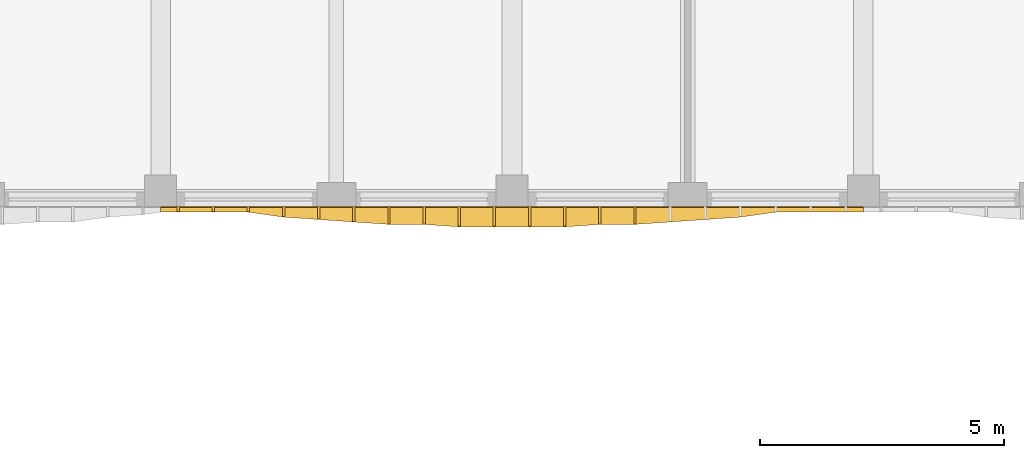
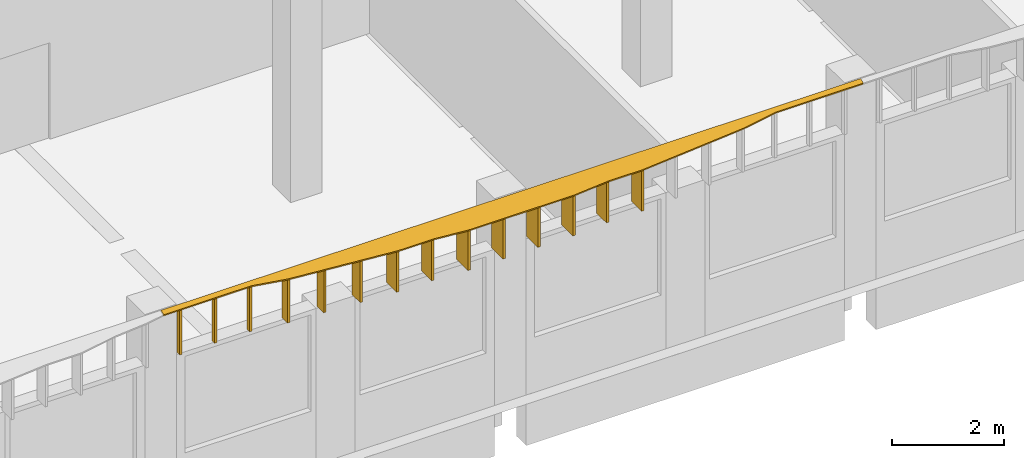
# One storey, part 38 of 54: 15 shading devices.
"""IFC4 building model written with IfcOpenShell, lengths in metres."""

from ifc_helpers import new_model, si_unit, direction, frame, origin, place, context, subcontext, project, spatial, polyline, outline, extrude, material, layer, layer_set, type_object, element, save


model = new_model("IFC4")

# Units and contexts
model_context = context("Model", 3, precision=1e-05, world=origin(), true_north=direction((0.0, 1.0)))
body_context = subcontext(model_context, "Body", "Model", "MODEL_VIEW")
ifc_project = project(units=[si_unit("LENGTHUNIT", "METRE"), si_unit("AREAUNIT", "SQUARE_METRE"), si_unit("VOLUMEUNIT", "CUBIC_METRE"), si_unit("PLANEANGLEUNIT", "RADIAN"), si_unit("MASSUNIT", "GRAM", prefix="KILO")], contexts=[model_context])

# Site, building, storey
site_placement = place(None, origin())
site = spatial("IfcSite", under=ifc_project, at=site_placement, CompositionType="ELEMENT")
building_placement = place(site_placement, origin())
building = spatial("IfcBuilding", under=site, at=building_placement, Name="Ussher Court Research Institute", CompositionType="ELEMENT")
storey_placement = place(building_placement, frame((0.0, 0.0, 14.39990234375)))
storey = spatial("IfcBuildingStorey", under=building, at=storey_placement, Name="L03", CompositionType="ELEMENT", Elevation=14.39990234375)

# Shading devices
ifc_material_1 = material(Name="Bronze anodised aluminium", Category="aluminium")
ifc_layer_1 = layer(ifc_material_1, 0.050048828125)
ifc_layer_set_1 = layer_set([ifc_layer_1], Name="Bronze anodised aluminium")
shading_device_type_1 = type_object("IfcShadingDeviceType", Name="Brim blade 100 mm deep 1000 mm high canted 20 deg dry", PredefinedType="USERDEFINED", material=ifc_layer_set_1)
for number, where, z_axis, x_axis, name in (
    (1, (26.39990234375, 68.39990234375, 3.4501953125), (0.0, 0.0, 1.0), (0.0, -1.0, 0.0), "Brim blade BS17 L03"),
    (2, (25.679931640625, 68.39990234375, 3.4501953125), (0.0, 0.0, 1.0), (0.0, -1.0, 0.0), "Brim blade BS17 L03"),
    (3, (24.9599609375, 68.39990234375, 3.4501953125), (0.0, 0.0, 1.0), (0.0, -1.0, 0.0), "Brim blade BS17 L03"),
):
    element("IfcShadingDevice", number, at=place(storey_placement, frame(where, z_axis=z_axis, x_axis=x_axis)), inside=storey, type_object=shading_device_type_1, Name=name, ObjectType="BLADE", PredefinedType="USERDEFINED", context=body_context, shape_type="SweptSolid", body=[
        extrude(outline(polyline([(0.0, 0.0), (0.099853515625, 0.0), (0.10009765625, 0.963623046875), (0.0, 1.0), (0.0, 0.0)])), frame((0.0, 0.02490234375, 0.0), z_axis=(0.0, -1.0, 0.0), x_axis=(1.0, 0.0, 0.0)), (0.0, 0.0, 1.0), 0.050048828125),
    ])
ifc_material_2 = material(Name="Bronze anodised aluminium", Category="aluminium")
ifc_layer_2 = layer(ifc_material_2, 0.050048828125)
ifc_layer_set_2 = layer_set([ifc_layer_2], Name="Bronze anodised aluminium")
shading_device_type_2 = type_object("IfcShadingDeviceType", Name="Brim blade 200 mm deep 1000 mm high canted 20 deg dry", PredefinedType="USERDEFINED", material=ifc_layer_set_2)
shading_device_1_placement = place(storey_placement, frame((27.1201171875, 68.39990234375, 3.4501953125), z_axis=(0.0, 0.0, 1.0), x_axis=(0.0, -1.0, 0.0)))
element("IfcShadingDevice", 4, at=shading_device_1_placement, inside=storey, type_object=shading_device_type_2, Name="Brim blade BS15 L03", ObjectType="BLADE", PredefinedType="USERDEFINED", context=body_context, shape_type="SweptSolid", body=[
    extrude(outline(polyline([(0.0, 0.0), (0.199951171875, 0.0), (0.199951171875, 0.927001953125), (0.0, 1.0), (0.0, 0.0)])), frame((0.0, 0.02490234375, 0.0), z_axis=(0.0, -1.0, 0.0), x_axis=(1.0, 0.0, 0.0)), (0.0, 0.0, 1.0), 0.050048828125),
])
ifc_material_3 = material(Name="Bronze anodised aluminium", Category="aluminium")
ifc_layer_3 = layer(ifc_material_3, 0.050048828125)
ifc_layer_set_3 = layer_set([ifc_layer_3], Name="Bronze anodised aluminium")
shading_device_type_3 = type_object("IfcShadingDeviceType", Name="Brim blade 250 mm deep 1000 mm high canted 20 deg dry", PredefinedType="USERDEFINED", material=ifc_layer_set_3)
shading_device_2_placement = place(storey_placement, frame((27.840087890625, 68.39990234375, 3.4501953125), z_axis=(0.0, 0.0, 1.0), x_axis=(0.0, -1.0, 0.0)))
element("IfcShadingDevice", 5, at=shading_device_2_placement, inside=storey, type_object=shading_device_type_3, Name="Brim blade BS14 L03", ObjectType="BLADE", PredefinedType="USERDEFINED", context=body_context, shape_type="SweptSolid", body=[
    extrude(outline(polyline([(0.0, 0.0), (0.25, 0.0), (0.25, 0.908935546875), (0.0, 1.0), (0.0, 0.0)])), frame((0.0, 0.02490234375, 0.0), z_axis=(0.0, -1.0, 0.0), x_axis=(1.0, 0.0, 0.0)), (0.0, 0.0, 1.0), 0.050048828125),
])
ifc_material_4 = material(Name="Bronze anodised aluminium", Category="aluminium")
ifc_layer_4 = layer(ifc_material_4, 0.050048828125)
ifc_layer_set_4 = layer_set([ifc_layer_4], Name="Bronze anodised aluminium")
shading_device_type_4 = type_object("IfcShadingDeviceType", Name="Brim blade 300 mm deep 1000 mm high canted 20 deg dry", PredefinedType="USERDEFINED", material=ifc_layer_set_4)
shading_device_3_placement = place(storey_placement, frame((28.56005859375, 68.39990234375, 3.4501953125), z_axis=(0.0, 0.0, 1.0), x_axis=(0.0, -1.0, 0.0)))
element("IfcShadingDevice", 6, at=shading_device_3_placement, inside=storey, type_object=shading_device_type_4, Name="Brim blade BS13 L03", ObjectType="BLADE", PredefinedType="USERDEFINED", context=body_context, shape_type="SweptSolid", body=[
    extrude(outline(polyline([(0.0, 0.0), (0.2998046875, 0.0), (0.300048828125, 0.890625), (0.0, 1.0), (0.0, 0.0)])), frame((0.0, 0.02490234375, 0.0), z_axis=(0.0, -1.0, 0.0), x_axis=(1.0, 0.0, 0.0)), (0.0, 0.0, 1.0), 0.050048828125),
])
ifc_material_5 = material(Name="Bronze anodised aluminium", Category="aluminium")
ifc_layer_5 = layer(ifc_material_5, 0.050048828125)
ifc_layer_set_5 = layer_set([ifc_layer_5], Name="Bronze anodised aluminium")
shading_device_type_5 = type_object("IfcShadingDeviceType", Name="Brim blade 350 mm deep 1000 mm high canted 20 deg dry", PredefinedType="USERDEFINED", material=ifc_layer_set_5)
for number, where, z_axis, x_axis, name in (
    (7, (34.320068359375, 68.39990234375, 3.4501953125), (0.0, 0.0, 1.0), (0.0, -1.0, 0.0), "Brim blade BS12 L03"),
    (8, (33.60009765625, 68.39990234375, 3.4501953125), (0.0, 0.0, 1.0), (0.0, -1.0, 0.0), "Brim blade BS12 L03"),
    (9, (30.0, 68.39990234375, 3.4501953125), (0.0, 0.0, 1.0), (0.0, -1.0, 0.0), "Brim blade BS12 L03"),
    (10, (29.280029296875, 68.39990234375, 3.4501953125), (0.0, 0.0, 1.0), (0.0, -1.0, 0.0), "Brim blade BS12 L03"),
):
    element("IfcShadingDevice", number, at=place(storey_placement, frame(where, z_axis=z_axis, x_axis=x_axis)), inside=storey, type_object=shading_device_type_5, Name=name, ObjectType="BLADE", PredefinedType="USERDEFINED", context=body_context, shape_type="SweptSolid", body=[
        extrude(outline(polyline([(0.0, 0.0), (0.349853515625, 0.0), (0.35009765625, 0.87255859375), (0.0, 1.0), (0.0, 0.0)])), frame((0.0, 0.02490234375, 0.0), z_axis=(0.0, -1.0, 0.0), x_axis=(1.0, 0.0, 0.0)), (0.0, 0.0, 1.0), 0.050048828125),
    ])
ifc_material_6 = material(Name="Bronze anodised aluminium", Category="aluminium")
ifc_layer_6 = layer(ifc_material_6, 0.050048828125)
ifc_layer_set_6 = layer_set([ifc_layer_6], Name="Bronze anodised aluminium")
shading_device_type_6 = type_object("IfcShadingDeviceType", Name="Brim blade 400 mm deep 1000 mm high canted 20 deg dry", PredefinedType="USERDEFINED", material=ifc_layer_set_6)
for number, where, z_axis, x_axis, name in (
    (11, (32.8798828125, 68.39990234375, 3.4501953125), (0.0, 0.0, 1.0), (0.0, -1.0, 0.0), "Brim blade BS11 L03"),
    (12, (32.159912109375, 68.39990234375, 3.4501953125), (0.0, 0.0, 1.0), (0.0, -1.0, 0.0), "Brim blade BS11 L03"),
    (13, (31.43994140625, 68.39990234375, 3.4501953125), (0.0, 0.0, 1.0), (0.0, -1.0, 0.0), "Brim blade BS11 L03"),
    (14, (30.719970703125, 68.39990234375, 3.4501953125), (0.0, 0.0, 1.0), (0.0, -1.0, 0.0), "Brim blade BS11 L03"),
):
    element("IfcShadingDevice", number, at=place(storey_placement, frame(where, z_axis=z_axis, x_axis=x_axis)), inside=storey, type_object=shading_device_type_6, Name=name, ObjectType="BLADE", PredefinedType="USERDEFINED", context=body_context, shape_type="SweptSolid", body=[
        extrude(outline(polyline([(0.0, 0.0), (0.39990234375, 0.0), (0.39990234375, 0.854248046875), (0.0, 1.0), (0.0, 0.0)])), frame((0.0, 0.02490234375, 0.0), z_axis=(0.0, -1.0, 0.0), x_axis=(1.0, 0.0, 0.0)), (0.0, 0.0, 1.0), 0.050048828125),
    ])
ifc_material_7 = material(Name="Bronze anodised aluminium", Category="aluminium")
ifc_layer_7 = layer(ifc_material_7, 0.0400390625)
ifc_layer_set_7 = layer_set([ifc_layer_7], Name="Bronze anodised aluminium")
shading_device_type_7 = type_object("IfcShadingDeviceType", Name="Brim visor sheet 40 mm canted 20 deg dry", PredefinedType="USERDEFINED", material=ifc_layer_set_7)
shading_device_4_placement = place(storey_placement, frame((39.0, 68.38623046875, 4.48779296875), z_axis=(0.0, -0.342400477754, 0.939554103197), x_axis=(-1.0, 0.0, 0.0)))
element("IfcShadingDevice", 15, at=shading_device_4_placement, inside=storey, type_object=shading_device_type_7, Name="Brim visor sheet BR2 L03", ObjectType="BRIM", PredefinedType="USERDEFINED", context=body_context, shape_type="SweptSolid", body=[
    extrude(outline(polyline([(0.0, 0.0), (14.39990234375, 0.0), (14.39990234375, 0.10627326645332352), (14.0400390625, 0.10627326645332352), (13.320068359375, 0.10627326645332352), (12.60009765625, 0.10627326645332352), (11.8798828125, 0.21285951009926202), (11.159912109375, 0.26606903805559207), (10.43994140625, 0.31936215987856126), (9.719970703125, 0.3723423045089156), (9.0, 0.3723423045089156), (8.280029296875, 0.42563542633188484), (7.56005859375, 0.42563542633188484), (6.840087890625, 0.42563542633188484), (6.1201171875, 0.42563542633188484), (5.39990234375, 0.3723423045089156), (4.679931640625, 0.3723423045089156), (3.9599609375, 0.31936215987856126), (3.239990234375, 0.26606903805559207), (2.52001953125, 0.21285951009926202), (1.800048828125, 0.10627326645332352), (1.080078125, 0.10627326645332352), (0.360107421875, 0.10627326645332352), (0.0, 0.10627326645332352), (0.0, 0.0)])), origin(), (0.0, 0.0, -1.0), 0.0400390625),
])

save(model, "model.ifc")
